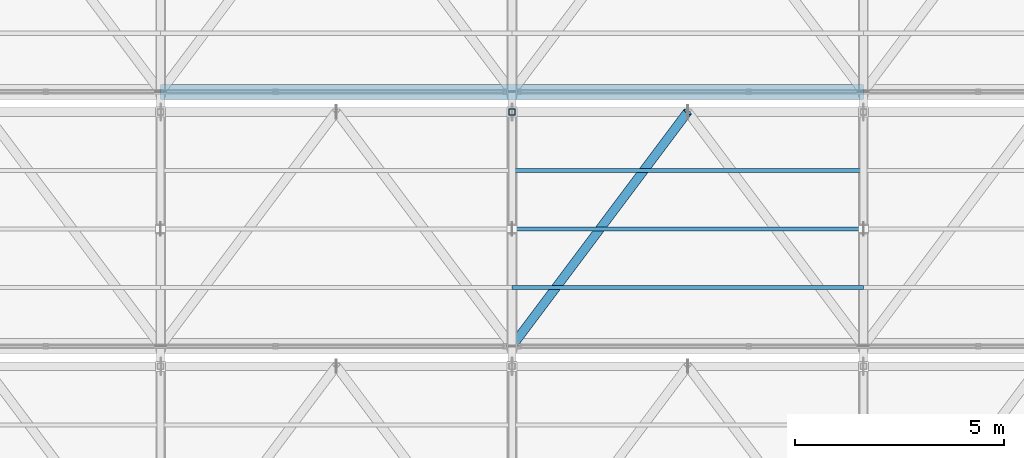
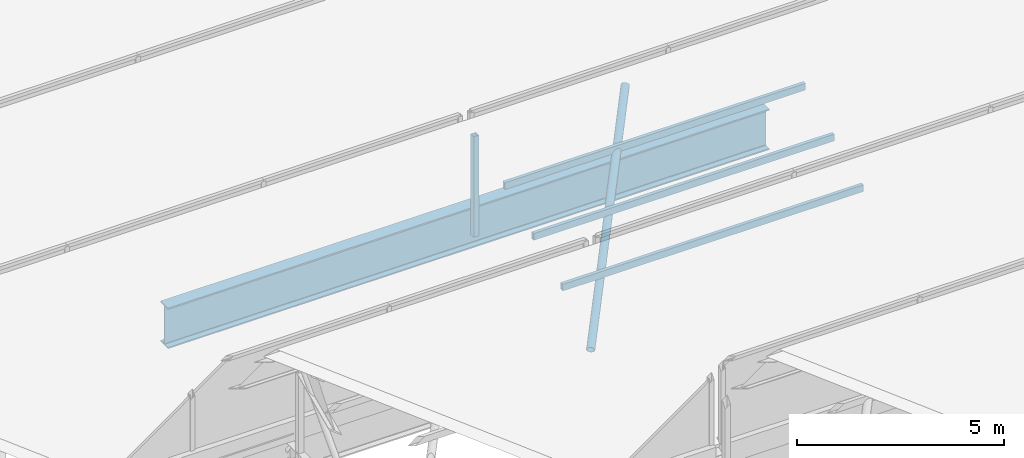
# One storey, part 102 of 217: 5 members, 1 beam.
"""IFC4 building model written with IfcOpenShell, lengths in metres."""

from ifc_helpers import new_model, si_unit, direction, frame, origin, origin_2d, place, context, subcontext, project, spatial, hollow_rectangle, hollow_circle, i_section, extrude, material, material_profile, profile_set, type_object, element, save


model = new_model("IFC4")

# Units and contexts
model_context = context("Model", 3, precision=1e-05, world=origin(), true_north=direction((0.0, 1.0)))
body_context = subcontext(model_context, "Body", "Model", "MODEL_VIEW")
ifc_project = project(units=[si_unit("LENGTHUNIT", "METRE"), si_unit("AREAUNIT", "SQUARE_METRE"), si_unit("VOLUMEUNIT", "CUBIC_METRE"), si_unit("PLANEANGLEUNIT", "RADIAN"), si_unit("MASSUNIT", "GRAM", prefix="KILO")], contexts=[model_context])

# Site, building, storey
site_placement = place(None, origin())
site = spatial("IfcSite", under=ifc_project, at=site_placement, CompositionType="ELEMENT")
building_placement = place(site_placement, origin())
building = spatial("IfcBuilding", under=site, at=building_placement, Name="Zuvorla Pavilion Media Centre", CompositionType="ELEMENT")
storey_placement = place(building_placement, frame((0.0, 0.0, 9.60009765625)))
storey = spatial("IfcBuildingStorey", under=building, at=storey_placement, Name="L02", CompositionType="ELEMENT", Elevation=9.60009765625)

# Beam
ifc_material = material(Name="Steel S355", Category="steel")
ifc_material_profile_1 = material_profile(ifc_material, i_section(OverallWidth=0.360107421875, OverallDepth=1.199951171875, WebThickness=0.02001953125, FlangeThickness=0.0380859375, FilletRadius=0.02392578125, at=origin_2d()), Name="PG 1200x360x38")
ifc_profile_set_1 = profile_set([ifc_material_profile_1], Name="Steel S355")
beam_type = type_object("IfcBeamType", Name="BM-PG1200", PredefinedType="BEAM", material=ifc_profile_set_1)
beam_placement = place(storey_placement, frame((75.199951171875, 107.840087890625, -0.88818359375), z_axis=(1.0, 0.0, 0.0), x_axis=(0.0, 1.0, 0.0)))
element("IfcBeam", 1, at=beam_placement, inside=storey, type_object=beam_type, Name="L02 beam B01 1797", PredefinedType="BEAM", context=body_context, shape_type="SweptSolid", body=[
    extrude(i_section(OverallWidth=0.360107421875, OverallDepth=1.199951171875, WebThickness=0.02001953125, FlangeThickness=0.0380859375, FilletRadius=0.02392578125, at=origin_2d()), origin(), (0.0, 0.0, 1.0), 16.800048828125),
])

# Members
ifc_material_profile_2 = material_profile(ifc_material, hollow_circle(Radius=0.109619140625, WallThickness=0.010009765625, at=origin_2d()), Name="CHS 219.1x10")
ifc_profile_set_2 = profile_set([ifc_material_profile_2], Name="Steel S355")
member_type_1 = type_object("IfcMemberType", Name="MEM-BRC-CHS219", PredefinedType="BRACE", material=ifc_profile_set_2)
member_1_placement = place(storey_placement, frame((83.60009765625, 101.760009765625, -0.880126953125), z_axis=(0.552511596944, 0.736703540702, 0.389870271191), x_axis=(-0.800008370399, 0.599988839305, 0.0)))
element("IfcMember", 2, at=member_1_placement, inside=storey, type_object=member_type_1, Name="L02 diagonal brace TB02 277", PredefinedType="BRACE", context=body_context, shape_type="SweptSolid", body=[
    extrude(hollow_circle(Radius=0.109619140625, WallThickness=0.010009765625, at=origin_2d()), origin(), (0.0, 0.0, 1.0), 7.6015625),
])
ifc_material_profile_3 = material_profile(ifc_material, hollow_rectangle(XDim=0.10009765625, YDim=0.199951171875, WallThickness=0.008056640625, at=origin_2d()), Name="RHS 200x100x8")
ifc_profile_set_3 = profile_set([ifc_material_profile_3], Name="Steel S355")
member_type_2 = type_object("IfcMemberType", Name="MEM-PUR-RHS200", PredefinedType="PURLIN", material=ifc_profile_set_3)
for number, where, z_axis, x_axis, name in (
    (3, (83.60009765625, 103.159912109375, 0.133544921875), (1.0, 0.0, 0.0), (0.0, 1.0, 0.0), "L02 purlin PR01 279"),
    (4, (83.60009765625, 104.56005859375, 0.783447265625), (1.0, 0.0, 0.0), (0.0, 1.0, 0.0), "L02 purlin PR01 280"),
    (5, (83.60009765625, 105.9599609375, 1.43359375), (1.0, 0.0, 0.0), (0.0, 1.0, 0.0), "L02 purlin PR01 281"),
):
    element("IfcMember", number, at=place(storey_placement, frame(where, z_axis=z_axis, x_axis=x_axis)), inside=storey, type_object=member_type_2, Name=name, PredefinedType="PURLIN", context=body_context, shape_type="SweptSolid", body=[
        extrude(hollow_rectangle(XDim=0.10009765625, YDim=0.199951171875, WallThickness=0.008056640625, at=origin_2d()), origin(), (0.0, 0.0, 1.0), 8.39990234375),
    ])
ifc_material_profile_4 = material_profile(ifc_material, hollow_rectangle(XDim=0.14990234375, YDim=0.14990234375, WallThickness=0.008056640625, at=origin_2d()), Name="SHS 150x150x8")
ifc_profile_set_4 = profile_set([ifc_material_profile_4], Name="Steel S355")
member_type_3 = type_object("IfcMemberType", Name="MEM-STR-SHS150", PredefinedType="STRUT", material=ifc_profile_set_4)
member_2_placement = place(storey_placement, frame((83.60009765625, 107.360107421875, -0.880126953125), z_axis=(0.0, 0.0, 1.0), x_axis=(1.0, 0.0, 0.0)))
element("IfcMember", 6, at=member_2_placement, inside=storey, type_object=member_type_3, Name="L02 vertical strut TS01 231", PredefinedType="STRUT", context=body_context, shape_type="SweptSolid", body=[
    extrude(hollow_rectangle(XDim=0.14990234375, YDim=0.14990234375, WallThickness=0.008056640625, at=origin_2d()), origin(), (0.0, 0.0, 1.0), 2.963623046875),
])

save(model, "model.ifc")
